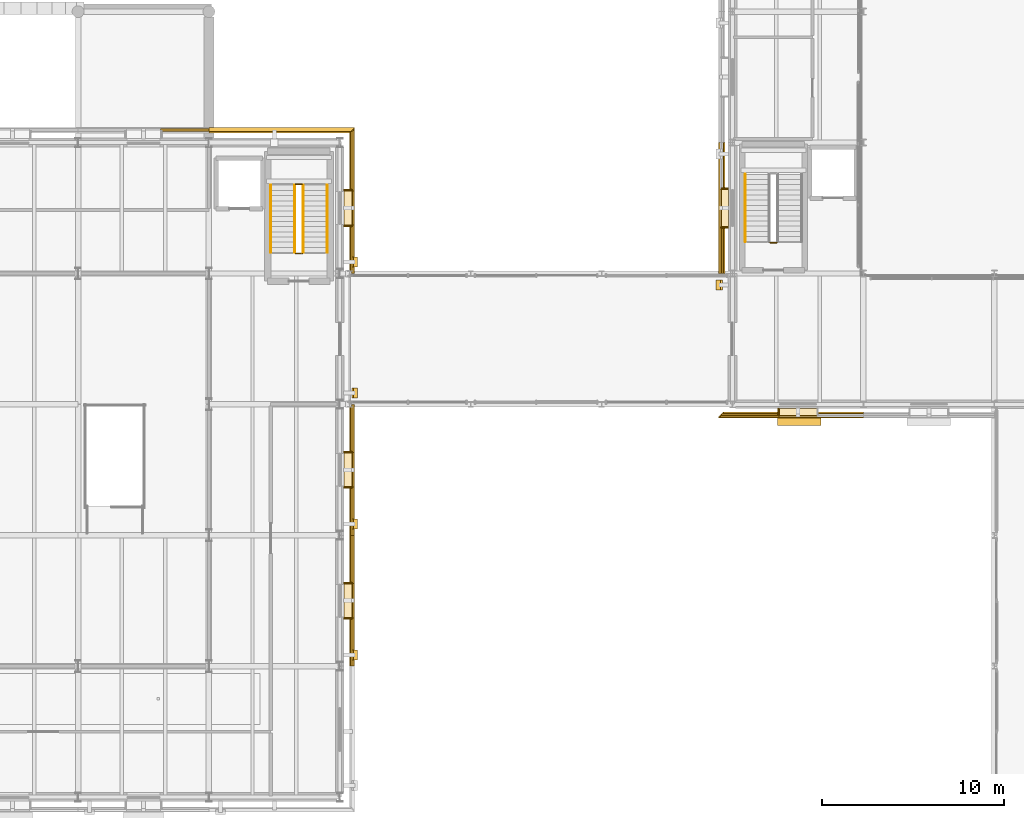
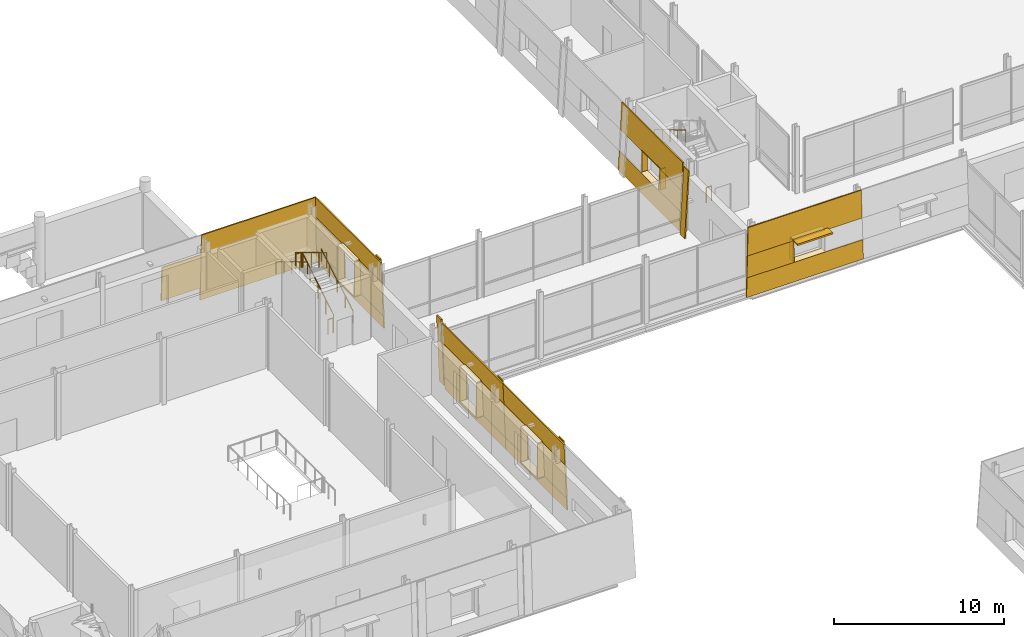
# One storey, part 114 of 121: 44 coverings, 8 railings, 1 shading device.
"""IFC4 building model written with IfcOpenShell, lengths in metres."""

from ifc_helpers import new_model, si_unit, direction, frame, origin, origin_2d, place, context, subcontext, project, spatial, polyline, rectangle, circle, outline, extrude, material, layer, layer_set, type_object, element, save


model = new_model("IFC4")

# Units and contexts
model_context = context("Model", 3, precision=1e-05, world=origin(), true_north=direction((0.0, 1.0)))
body_context = subcontext(model_context, "Body", "Model", "MODEL_VIEW")
ifc_project = project(units=[si_unit("LENGTHUNIT", "METRE"), si_unit("AREAUNIT", "SQUARE_METRE"), si_unit("VOLUMEUNIT", "CUBIC_METRE"), si_unit("PLANEANGLEUNIT", "RADIAN"), si_unit("MASSUNIT", "GRAM", prefix="KILO")], contexts=[model_context])

# Site, building, storey
site_placement = place(None, origin())
site = spatial("IfcSite", under=ifc_project, at=site_placement, CompositionType="ELEMENT")
building_placement = place(site_placement, origin())
building = spatial("IfcBuilding", under=site, at=building_placement, Name="Narikvali Park Central Library", CompositionType="ELEMENT")
storey_placement = place(building_placement, frame((0.0, 0.0, 5.39990234375)))
storey = spatial("IfcBuildingStorey", under=building, at=storey_placement, Name="L01", CompositionType="ELEMENT", Elevation=5.39990234375)

# Coverings
ifc_material_1 = material(Name="White Honed Limestone Cladding", Category="masonry")
ifc_layer_1 = layer(ifc_material_1, 0.0849609375, Name="White Honed Limestone Cladding")
ifc_layer_set_1 = layer_set([ifc_layer_1], Name="White Honed Limestone Cladding")
covering_type_1 = type_object("IfcCoveringType", Name="Battered White Limestone Facade Cladding Panel", PredefinedType="CLADDING", material=ifc_layer_set_1)
covering_1_placement = place(storey_placement, frame((101.759033203125, 65.14990234375, 0.0), z_axis=(0.999162846811, 0.0, 0.040909724413), x_axis=(0.0, 1.0, 0.0)))
element("IfcCovering", 1, at=covering_1_placement, inside=storey, type_object=covering_type_1, Name="V1 L01 E Classical Limestone Pilaster B02", PredefinedType="CLADDING", context=body_context, shape_type="SweptSolid", body=[
    extrude(outline(polyline([(0.0, 0.0), (0.550048828125, 0.0), (0.550048828125, 4.8040705711214065), (0.0, 4.8040705711214065), (0.0, 0.0)])), origin(), (0.0, 0.0, -1.0), 0.0849609375),
])
covering_2_placement = place(storey_placement, frame((101.618896484375, 64.800048828125, 0.0), z_axis=(0.999173453026, 0.0, 0.040649855697), x_axis=(0.0, 1.0, 0.0)))
element("IfcCovering", 2, at=covering_2_placement, inside=storey, type_object=covering_type_1, Name="V1 L01 E Battered Limestone Spandrel B02", PredefinedType="CLADDING", context=body_context, shape_type="SweptSolid", body=[
    extrude(outline(polyline([(0.0, 0.0), (7.199951171875, 0.0), (7.199951171875, 0.9008911131985476), (0.0, 0.9008911131985476), (0.0, 0.0)])), origin(), (0.0, 0.0, -1.0), 0.0849609375),
])
covering_3_placement = place(storey_placement, frame((101.48193359375, 64.800048828125, 3.35009765625), z_axis=(0.999163990863, 0.0, 0.040881772989), x_axis=(0.0, 1.0, 0.0)))
element("IfcCovering", 3, at=covering_3_placement, inside=storey, type_object=covering_type_1, Name="V1 L01 E Battered Limestone Lintel B02", PredefinedType="CLADDING", context=body_context, shape_type="SweptSolid", body=[
    extrude(outline(polyline([(0.0, 0.0), (7.199951171875, 0.0), (7.199951171875, 1.451164358538008), (0.0, 1.451164358538008), (0.0, 0.0)])), origin(), (0.0, 0.0, -1.0), 0.0849609375),
])
for number, where, z_axis, x_axis, name in (
    (4, (101.582275390625, 64.800048828125, 0.900146484375), (0.999162330053, 0.0, 0.040922343563), (0.0, 1.0, 0.0), "V1 L01 E Battered Limestone Jamb Pier L B02"),
    (5, (101.582275390625, 69.340087890625, 0.900146484375), (0.999162330053, 0.0, 0.040922343563), (0.0, 1.0, 0.0), "V1 L01 E Battered Limestone Jamb Pier R B02"),
):
    element("IfcCovering", number, at=place(storey_placement, frame(where, z_axis=z_axis, x_axis=x_axis)), inside=storey, type_object=covering_type_1, Name=name, PredefinedType="CLADDING", context=body_context, shape_type="SweptSolid", body=[
        extrude(outline(polyline([(0.0, 0.0), (2.659912109375, 0.0), (2.659912109375, 2.4520051428926064), (0.0, 2.4520051428926064), (0.0, 0.0)])), origin(), (0.0, 0.0, -1.0), 0.0849609375),
    ])
covering_4_placement = place(storey_placement, frame((101.759033203125, 72.35009765625, 0.0), z_axis=(0.999162846811, 0.0, 0.040909724413), x_axis=(0.0, 1.0, 0.0)))
element("IfcCovering", 6, at=covering_4_placement, inside=storey, type_object=covering_type_1, Name="V1 L01 E Classical Limestone Pilaster B03", PredefinedType="CLADDING", context=body_context, shape_type="SweptSolid", body=[
    extrude(outline(polyline([(0.0, 0.0), (0.5498046875, 0.0), (0.5498046875, 4.8040705711214065), (0.0, 4.8040705711214065), (0.0, 0.0)])), origin(), (0.0, 0.0, -1.0), 0.0849609375),
])
covering_5_placement = place(storey_placement, frame((101.618896484375, 72.0, 0.0), z_axis=(0.999173453026, 0.0, 0.040649855697), x_axis=(0.0, 1.0, 0.0)))
element("IfcCovering", 7, at=covering_5_placement, inside=storey, type_object=covering_type_1, Name="V1 L01 E Battered Limestone Spandrel B03", PredefinedType="CLADDING", context=body_context, shape_type="SweptSolid", body=[
    extrude(outline(polyline([(0.0, 0.0), (7.199951171875, 0.0), (7.199951171875, 0.9008911131985476), (0.0, 0.9008911131985476), (0.0, 0.0)])), origin(), (0.0, 0.0, -1.0), 0.0849609375),
])
covering_6_placement = place(storey_placement, frame((101.48193359375, 72.0, 3.35009765625), z_axis=(0.999163990863, 0.0, 0.040881772989), x_axis=(0.0, 1.0, 0.0)))
element("IfcCovering", 8, at=covering_6_placement, inside=storey, type_object=covering_type_1, Name="V1 L01 E Battered Limestone Lintel B03", PredefinedType="CLADDING", context=body_context, shape_type="SweptSolid", body=[
    extrude(outline(polyline([(0.0, 0.0), (7.199951171875, 0.0), (7.199951171875, 1.451164358538008), (0.0, 1.451164358538008), (0.0, 0.0)])), origin(), (0.0, 0.0, -1.0), 0.0849609375),
])
for number, where, z_axis, x_axis, name in (
    (9, (101.582275390625, 72.0, 0.900146484375), (0.999162330053, 0.0, 0.040922343563), (0.0, 1.0, 0.0), "V1 L01 E Battered Limestone Jamb Pier L B03"),
    (10, (101.582275390625, 76.5400390625, 0.900146484375), (0.999162330053, 0.0, 0.040922343563), (0.0, 1.0, 0.0), "V1 L01 E Battered Limestone Jamb Pier R B03"),
):
    element("IfcCovering", number, at=place(storey_placement, frame(where, z_axis=z_axis, x_axis=x_axis)), inside=storey, type_object=covering_type_1, Name=name, PredefinedType="CLADDING", context=body_context, shape_type="SweptSolid", body=[
        extrude(outline(polyline([(0.0, 0.0), (2.659912109375, 0.0), (2.659912109375, 2.4520051428926064), (0.0, 2.4520051428926064), (0.0, 0.0)])), origin(), (0.0, 0.0, -1.0), 0.0849609375),
    ])
for number, where, z_axis, x_axis, name in (
    (11, (101.759033203125, 79.550048828125, 0.0), (0.999162846811, 0.0, 0.040909724413), (0.0, 1.0, 0.0), "V1 L01 E Classical Limestone Pilaster B04"),
    (12, (101.759033203125, 86.75, 0.0), (0.999162846811, 0.0, 0.040909724413), (0.0, 1.0, 0.0), "V1 L01 E Classical Limestone Pilaster B05"),
):
    element("IfcCovering", number, at=place(storey_placement, frame(where, z_axis=z_axis, x_axis=x_axis)), inside=storey, type_object=covering_type_1, Name=name, PredefinedType="CLADDING", context=body_context, shape_type="SweptSolid", body=[
        extrude(outline(polyline([(0.0, 0.0), (0.550048828125, 0.0), (0.550048828125, 4.8040705711214065), (0.0, 4.8040705711214065), (0.0, 0.0)])), origin(), (0.0, 0.0, -1.0), 0.0849609375),
    ])
covering_7_placement = place(storey_placement, frame((101.618896484375, 86.39990234375, 0.0), z_axis=(0.999173453026, 0.0, 0.040649855697), x_axis=(0.0, 1.0, 0.0)))
element("IfcCovering", 13, at=covering_7_placement, inside=storey, type_object=covering_type_1, Name="V1 L01 E Battered Limestone Spandrel B05", PredefinedType="CLADDING", context=body_context, shape_type="SweptSolid", body=[
    extrude(outline(polyline([(0.0, 0.0), (7.93408203125, 0.0), (7.897216796875, 0.9008911131985476), (0.0, 0.9008911131985476), (0.0, 0.0)])), origin(), (0.0, 0.0, -1.0), 0.0849609375),
])
covering_8_placement = place(storey_placement, frame((101.48193359375, 86.39990234375, 3.35009765625), z_axis=(0.999163990863, 0.0, 0.040881772989), x_axis=(0.0, 1.0, 0.0)))
element("IfcCovering", 14, at=covering_8_placement, inside=storey, type_object=covering_type_1, Name="V1 L01 E Battered Limestone Lintel B05", PredefinedType="CLADDING", context=body_context, shape_type="SweptSolid", body=[
    extrude(outline(polyline([(0.0, 0.0), (7.797119140625, 0.0), (7.73779296875, 1.4511643585380076), (0.0, 1.4511643585380076), (0.0, 0.0)])), origin(), (0.0, 0.0, -1.0), 0.0849609375),
])
covering_9_placement = place(storey_placement, frame((101.582275390625, 86.39990234375, 0.900146484375), z_axis=(0.999162330053, 0.0, 0.040922343563), x_axis=(0.0, 1.0, 0.0)))
element("IfcCovering", 15, at=covering_9_placement, inside=storey, type_object=covering_type_1, Name="V1 L01 E Battered Limestone Jamb Pier L B05", PredefinedType="CLADDING", context=body_context, shape_type="SweptSolid", body=[
    extrude(outline(polyline([(0.0, 0.0), (2.66015625, 0.0), (2.66015625, 2.452005142892606), (0.0, 2.452005142892606), (0.0, 0.0)])), origin(), (0.0, 0.0, -1.0), 0.0849609375),
])
covering_10_placement = place(storey_placement, frame((101.582275390625, 90.93994140625, 0.900146484375), z_axis=(0.999162330053, 0.0, 0.040922343563), x_axis=(0.0, 1.0, 0.0)))
element("IfcCovering", 16, at=covering_10_placement, inside=storey, type_object=covering_type_1, Name="V1 L01 E Battered Limestone Jamb Pier R B05", PredefinedType="CLADDING", context=body_context, shape_type="SweptSolid", body=[
    extrude(outline(polyline([(0.0, 0.0), (3.357177734375, 0.0), (3.257080078125, 2.4520051428926064), (0.0, 2.4520051428926064), (0.0, 0.0)])), origin(), (0.0, 0.0, -1.0), 0.0849609375),
])
covering_11_placement = place(storey_placement, frame((101.618896484375, 94.4189453125, 0.0), z_axis=(0.0, 0.9991649228, 0.040858989773), x_axis=(-1.0, 0.0, 0.0)))
element("IfcCovering", 17, at=covering_11_placement, inside=storey, type_object=covering_type_1, Name="V1 L01 N Battered Limestone Panel B01", PredefinedType="CLADDING", context=body_context, shape_type="SweptSolid", body=[
    extrude(outline(polyline([(0.0, 0.0), (8.018798828125, 0.0), (8.018798828125, 4.804060589588906), (0.1962890625, 4.804060589588906), (0.0, 0.0)])), origin(), (0.0, 0.0, -1.0), 0.0849609375),
])
covering_12_placement = place(storey_placement, frame((93.60009765625, 94.382080078125, 0.900146484375), z_axis=(0.0, 0.999166396258, 0.04082294195), x_axis=(-1.0, 0.0, 0.0)))
element("IfcCovering", 18, at=covering_12_placement, inside=storey, type_object=covering_type_1, Name="V1 L01 N Battered Limestone Jamb Pier L B02", PredefinedType="CLADDING", context=body_context, shape_type="SweptSolid", body=[
    extrude(outline(polyline([(0.0, 0.0), (2.66015625, 0.0), (2.66015625, 2.4519951642200337), (0.0, 2.4519951642200337), (0.0, 0.0)])), origin(), (0.0, 0.0, -1.0), 0.0849609375),
])
covering_13_placement = place(storey_placement, frame((121.641357421875, 78.44140625, 0.0), z_axis=(0.0, -0.998646611858, 0.052009082137), x_axis=(1.0, 0.0, 0.0)))
element("IfcCovering", 19, at=covering_13_placement, inside=storey, type_object=covering_type_1, Name="V3 L01 S Battered Limestone Spandrel B01", PredefinedType="CLADDING", context=body_context, shape_type="SweptSolid", body=[
    extrude(outline(polyline([(0.0, 0.0), (7.958740234375, 0.0), (7.958740234375, 1.3519273386791144), (0.070556640625, 1.3519273386791144), (0.0, 0.0)])), origin(), (0.0, 0.0, -1.0), 0.0849609375),
])
covering_14_placement = place(storey_placement, frame((121.7900390625, 78.590087890625, 2.85009765625), z_axis=(0.0, -0.998646348793, 0.052014133104), x_axis=(1.0, 0.0, 0.0)))
element("IfcCovering", 20, at=covering_14_placement, inside=storey, type_object=covering_type_1, Name="V3 L01 S Battered Limestone Lintel B01", PredefinedType="CLADDING", context=body_context, shape_type="SweptSolid", body=[
    extrude(outline(polyline([(0.0, 0.0), (7.81005859375, 0.0), (7.81005859375, 1.9525943035108284), (0.1015625, 1.9525943035108284), (0.0, 0.0)])), origin(), (0.0, 0.0, -1.0), 0.0849609375),
])
covering_15_placement = place(storey_placement, frame((121.7119140625, 78.51171875, 1.35009765625), z_axis=(0.0, -0.998637960633, 0.052174932514), x_axis=(1.0, 0.0, 0.0)))
element("IfcCovering", 21, at=covering_15_placement, inside=storey, type_object=covering_type_1, Name="V3 L01 S Battered Limestone Jamb Pier L B01", PredefinedType="CLADDING", context=body_context, shape_type="SweptSolid", body=[
    extrude(outline(polyline([(0.0, 0.0), (3.248046875, 0.0), (3.248046875, 1.502045845572731), (0.078125, 1.502045845572731), (0.0, 0.0)])), origin(), (0.0, 0.0, -1.0), 0.0849609375),
])
covering_16_placement = place(storey_placement, frame((121.641357421875, 93.60009765625, 0.0), z_axis=(-0.998637216249, 0.0, 0.052189178209), x_axis=(0.0, -1.0, 0.0)))
element("IfcCovering", 22, at=covering_16_placement, inside=storey, type_object=covering_type_1, Name="V3 L01 W Battered Limestone Spandrel B04", PredefinedType="CLADDING", context=body_context, shape_type="SweptSolid", body=[
    extrude(outline(polyline([(0.0, 0.0), (7.2001953125, 0.0), (7.2001953125, 1.3519400581934202), (0.0, 1.3519400581934202), (0.0, 0.0)])), origin(), (0.0, 0.0, -1.0), 0.0849609375),
])
covering_17_placement = place(storey_placement, frame((121.7900390625, 93.60009765625, 2.85009765625), z_axis=(-0.998646348793, 0.0, 0.052014133104), x_axis=(0.0, -1.0, 0.0)))
element("IfcCovering", 23, at=covering_17_placement, inside=storey, type_object=covering_type_1, Name="V3 L01 W Battered Limestone Lintel B04", PredefinedType="CLADDING", context=body_context, shape_type="SweptSolid", body=[
    extrude(outline(polyline([(0.0, 0.0), (7.2001953125, 0.0), (7.2001953125, 1.9525943035108282), (0.0, 1.9525943035108282), (0.0, 0.0)])), origin(), (0.0, 0.0, -1.0), 0.0849609375),
])
covering_18_placement = place(storey_placement, frame((121.7119140625, 88.9599609375, 1.35009765625), z_axis=(-0.998646416446, 0.0, 0.05201283419), x_axis=(0.0, -1.0, 0.0)))
element("IfcCovering", 24, at=covering_18_placement, inside=storey, type_object=covering_type_1, Name="V3 L01 W Battered Limestone Jamb Pier R B04", PredefinedType="CLADDING", context=body_context, shape_type="SweptSolid", body=[
    extrude(outline(polyline([(0.0, 0.0), (2.56005859375, 0.0), (2.56005859375, 1.5020331273394072), (0.0, 1.5020331273394072), (0.0, 0.0)])), origin(), (0.0, 0.0, -1.0), 0.0849609375),
])
covering_19_placement = place(storey_placement, frame((121.50146484375, 86.050048828125, 0.0), z_axis=(-0.998643804351, 0.0, 0.052062962182), x_axis=(0.0, -1.0, 0.0)))
element("IfcCovering", 25, at=covering_19_placement, inside=storey, type_object=covering_type_1, Name="V3 L01 W Classical Limestone Pilaster B05", PredefinedType="CLADDING", context=body_context, shape_type="SweptSolid", body=[
    extrude(outline(polyline([(0.0, 0.0), (0.550048828125, 0.0), (0.550048828125, 4.80656747401941), (0.0, 4.80656747401941), (0.0, 0.0)])), origin(), (0.0, 0.0, -1.0), 0.0849609375),
])

# Shading device
ifc_material_2 = material(Name="Anodised Bronze Aluminium", Category="aluminium")
ifc_layer_2 = layer(ifc_material_2, 0.1201171875, Name="Anodised Bronze Aluminium")
ifc_layer_set_2 = layer_set([ifc_layer_2], Name="Anodised Bronze Aluminium")
shading_device_type = type_object("IfcShadingDeviceType", Name="Bronze Classical Cornice Sun Brise-Soleil 650", PredefinedType="SHUTTER", material=ifc_layer_set_2)
shading_device_placement = place(storey_placement, frame((126.076904296875, 78.35009765625, 2.85009765625), z_axis=(0.0, 0.0, 1.0), x_axis=(1.0, 0.0, 0.0)))
element("IfcShadingDevice", 26, at=shading_device_placement, inside=storey, type_object=shading_device_type, Name="V3 L01 Classical Bronze Brise-Soleil 01", PredefinedType="SHUTTER", context=body_context, shape_type="SweptSolid", body=[
    extrude(rectangle(XDim=2.39990234375, YDim=0.64990234375, at=origin_2d()), origin(), (0.0, 0.0, 1.0), 0.1201171875),
])

# Coverings
ifc_layer_3 = layer(ifc_material_1, 0.080078125, Name="White Honed Limestone Cladding")
ifc_layer_set_3 = layer_set([ifc_layer_3], Name="White Honed Limestone Cladding")
covering_type_2 = type_object("IfcCoveringType", Name="Deep Carved White Limestone Window Reveal", PredefinedType="CLADDING", material=ifc_layer_set_3)
covering_20_placement = place(storey_placement, frame((0.0, 0.0, 3.35009765625)))
element("IfcCovering", 27, at=covering_20_placement, inside=storey, type_object=covering_type_2, Name="Deep Stone Reveal Head V1-RVL-L01-E-B02", PredefinedType="CLADDING", context=body_context, shape_type="SweptSolid", body=[
    extrude(outline(polyline([(101.02490234375, 67.419921875), (101.02490234375, 69.3798828125), (101.48193359375, 69.3798828125), (101.48193359375, 67.419921875), (101.02490234375, 67.419921875)])), origin(), (0.0, 0.0, 1.0), 0.080078125),
])
covering_21_placement = place(storey_placement, frame((0.0, 0.0, 0.820068359375)))
element("IfcCovering", 28, at=covering_21_placement, inside=storey, type_object=covering_type_2, Name="Deep Stone Reveal Sill V1-RVL-L01-E-B02", PredefinedType="CLADDING", context=body_context, shape_type="SweptSolid", body=[
    extrude(outline(polyline([(101.02490234375, 67.419921875), (101.02490234375, 69.3798828125), (101.582275390625, 69.3798828125), (101.582275390625, 67.419921875), (101.02490234375, 67.419921875)])), origin(), (0.0, 0.0, 1.0), 0.080078125),
])
covering_22_placement = place(storey_placement, frame((0.0, 0.0, 0.900146484375)))
element("IfcCovering", 29, at=covering_22_placement, inside=storey, type_object=covering_type_2, Name="Deep Stone Reveal Jamb L V1-RVL-L01-E-B02", PredefinedType="CLADDING", context=body_context, shape_type="SweptSolid", body=[
    extrude(outline(polyline([(101.02490234375, 67.3798828125), (101.02490234375, 67.4599609375), (101.48193359375, 67.4599609375), (101.48193359375, 67.3798828125), (101.02490234375, 67.3798828125)])), origin(), (0.0, 0.0, 1.0), 2.449951171875),
])
covering_23_placement = place(storey_placement, frame((0.0, 0.0, 0.900146484375)))
element("IfcCovering", 30, at=covering_23_placement, inside=storey, type_object=covering_type_2, Name="Deep Stone Reveal Jamb R V1-RVL-L01-E-B02", PredefinedType="CLADDING", context=body_context, shape_type="SweptSolid", body=[
    extrude(outline(polyline([(101.02490234375, 69.340087890625), (101.02490234375, 69.419921875), (101.48193359375, 69.419921875), (101.48193359375, 69.340087890625), (101.02490234375, 69.340087890625)])), origin(), (0.0, 0.0, 1.0), 2.449951171875),
])
covering_24_placement = place(storey_placement, frame((0.0, 0.0, 3.35009765625)))
element("IfcCovering", 31, at=covering_24_placement, inside=storey, type_object=covering_type_2, Name="Deep Stone Reveal Head V1-RVL-L01-E-B03", PredefinedType="CLADDING", context=body_context, shape_type="SweptSolid", body=[
    extrude(outline(polyline([(101.02490234375, 74.6201171875), (101.02490234375, 76.580078125), (101.48193359375, 76.580078125), (101.48193359375, 74.6201171875), (101.02490234375, 74.6201171875)])), origin(), (0.0, 0.0, 1.0), 0.080078125),
])
covering_25_placement = place(storey_placement, frame((0.0, 0.0, 0.820068359375)))
element("IfcCovering", 32, at=covering_25_placement, inside=storey, type_object=covering_type_2, Name="Deep Stone Reveal Sill V1-RVL-L01-E-B03", PredefinedType="CLADDING", context=body_context, shape_type="SweptSolid", body=[
    extrude(outline(polyline([(101.02490234375, 74.6201171875), (101.02490234375, 76.580078125), (101.582275390625, 76.580078125), (101.582275390625, 74.6201171875), (101.02490234375, 74.6201171875)])), origin(), (0.0, 0.0, 1.0), 0.080078125),
])
covering_26_placement = place(storey_placement, frame((0.0, 0.0, 0.900146484375)))
element("IfcCovering", 33, at=covering_26_placement, inside=storey, type_object=covering_type_2, Name="Deep Stone Reveal Jamb L V1-RVL-L01-E-B03", PredefinedType="CLADDING", context=body_context, shape_type="SweptSolid", body=[
    extrude(outline(polyline([(101.02490234375, 74.580078125), (101.02490234375, 74.659912109375), (101.48193359375, 74.659912109375), (101.48193359375, 74.580078125), (101.02490234375, 74.580078125)])), origin(), (0.0, 0.0, 1.0), 2.449951171875),
])
covering_27_placement = place(storey_placement, frame((0.0, 0.0, 0.900146484375)))
element("IfcCovering", 34, at=covering_27_placement, inside=storey, type_object=covering_type_2, Name="Deep Stone Reveal Jamb R V1-RVL-L01-E-B03", PredefinedType="CLADDING", context=body_context, shape_type="SweptSolid", body=[
    extrude(outline(polyline([(101.02490234375, 76.5400390625), (101.02490234375, 76.6201171875), (101.48193359375, 76.6201171875), (101.48193359375, 76.5400390625), (101.02490234375, 76.5400390625)])), origin(), (0.0, 0.0, 1.0), 2.449951171875),
])
covering_28_placement = place(storey_placement, frame((0.0, 0.0, 3.35009765625)))
element("IfcCovering", 35, at=covering_28_placement, inside=storey, type_object=covering_type_2, Name="Deep Stone Reveal Head V1-RVL-L01-E-B05", PredefinedType="CLADDING", context=body_context, shape_type="SweptSolid", body=[
    extrude(outline(polyline([(101.02490234375, 89.02001953125), (101.02490234375, 90.97998046875), (101.48193359375, 90.97998046875), (101.48193359375, 89.02001953125), (101.02490234375, 89.02001953125)])), origin(), (0.0, 0.0, 1.0), 0.080078125),
])
covering_29_placement = place(storey_placement, frame((0.0, 0.0, 0.820068359375)))
element("IfcCovering", 36, at=covering_29_placement, inside=storey, type_object=covering_type_2, Name="Deep Stone Reveal Sill V1-RVL-L01-E-B05", PredefinedType="CLADDING", context=body_context, shape_type="SweptSolid", body=[
    extrude(outline(polyline([(101.02490234375, 89.02001953125), (101.02490234375, 90.97998046875), (101.582275390625, 90.97998046875), (101.582275390625, 89.02001953125), (101.02490234375, 89.02001953125)])), origin(), (0.0, 0.0, 1.0), 0.080078125),
])
covering_30_placement = place(storey_placement, frame((0.0, 0.0, 0.900146484375)))
element("IfcCovering", 37, at=covering_30_placement, inside=storey, type_object=covering_type_2, Name="Deep Stone Reveal Jamb L V1-RVL-L01-E-B05", PredefinedType="CLADDING", context=body_context, shape_type="SweptSolid", body=[
    extrude(outline(polyline([(101.02490234375, 88.97998046875), (101.02490234375, 89.06005859375), (101.48193359375, 89.06005859375), (101.48193359375, 88.97998046875), (101.02490234375, 88.97998046875)])), origin(), (0.0, 0.0, 1.0), 2.449951171875),
])
covering_31_placement = place(storey_placement, frame((0.0, 0.0, 0.900146484375)))
element("IfcCovering", 38, at=covering_31_placement, inside=storey, type_object=covering_type_2, Name="Deep Stone Reveal Jamb R V1-RVL-L01-E-B05", PredefinedType="CLADDING", context=body_context, shape_type="SweptSolid", body=[
    extrude(outline(polyline([(101.02490234375, 90.93994140625), (101.02490234375, 91.02001953125), (101.48193359375, 91.02001953125), (101.48193359375, 90.93994140625), (101.02490234375, 90.93994140625)])), origin(), (0.0, 0.0, 1.0), 2.449951171875),
])
covering_32_placement = place(storey_placement, frame((0.0, 0.0, 2.85009765625)))
element("IfcCovering", 39, at=covering_32_placement, inside=storey, type_object=covering_type_2, Name="Deep Stone Reveal Head V3-RVL-L01-S-B01", PredefinedType="CLADDING", context=body_context, shape_type="SweptSolid", body=[
    extrude(outline(polyline([(124.919921875, 78.97509765625), (127.080078125, 78.97509765625), (127.080078125, 78.590087890625), (124.919921875, 78.590087890625), (124.919921875, 78.97509765625)])), origin(), (0.0, 0.0, 1.0), 0.080078125),
])
covering_33_placement = place(storey_placement, frame((0.0, 0.0, 1.27001953125)))
element("IfcCovering", 40, at=covering_33_placement, inside=storey, type_object=covering_type_2, Name="Deep Stone Reveal Sill V3-RVL-L01-S-B01", PredefinedType="CLADDING", context=body_context, shape_type="SweptSolid", body=[
    extrude(outline(polyline([(124.919921875, 78.97509765625), (127.080078125, 78.97509765625), (127.080078125, 78.51171875), (124.919921875, 78.51171875), (124.919921875, 78.97509765625)])), origin(), (0.0, 0.0, 1.0), 0.080078125),
])
covering_34_placement = place(storey_placement, frame((0.0, 0.0, 1.35009765625)))
element("IfcCovering", 41, at=covering_34_placement, inside=storey, type_object=covering_type_2, Name="Deep Stone Reveal Jamb L V3-RVL-L01-S-B01", PredefinedType="CLADDING", context=body_context, shape_type="SweptSolid", body=[
    extrude(outline(polyline([(124.8798828125, 78.97509765625), (124.9599609375, 78.97509765625), (124.9599609375, 78.590087890625), (124.8798828125, 78.590087890625), (124.8798828125, 78.97509765625)])), origin(), (0.0, 0.0, 1.0), 1.5),
])
covering_35_placement = place(storey_placement, frame((0.0, 0.0, 2.85009765625)))
element("IfcCovering", 42, at=covering_35_placement, inside=storey, type_object=covering_type_2, Name="Deep Stone Reveal Head V3-RVL-L01-W-B04", PredefinedType="CLADDING", context=body_context, shape_type="SweptSolid", body=[
    extrude(outline(polyline([(122.175048828125, 91.080078125), (122.175048828125, 88.919921875), (121.7900390625, 88.919921875), (121.7900390625, 91.080078125), (122.175048828125, 91.080078125)])), origin(), (0.0, 0.0, 1.0), 0.080078125),
])
covering_36_placement = place(storey_placement, frame((0.0, 0.0, 1.27001953125)))
element("IfcCovering", 43, at=covering_36_placement, inside=storey, type_object=covering_type_2, Name="Deep Stone Reveal Sill V3-RVL-L01-W-B04", PredefinedType="CLADDING", context=body_context, shape_type="SweptSolid", body=[
    extrude(outline(polyline([(122.175048828125, 91.080078125), (122.175048828125, 88.919921875), (121.7119140625, 88.919921875), (121.7119140625, 91.080078125), (122.175048828125, 91.080078125)])), origin(), (0.0, 0.0, 1.0), 0.080078125),
])
covering_37_placement = place(storey_placement, frame((0.0, 0.0, 1.35009765625)))
element("IfcCovering", 44, at=covering_37_placement, inside=storey, type_object=covering_type_2, Name="Deep Stone Reveal Jamb L V3-RVL-L01-W-B04", PredefinedType="CLADDING", context=body_context, shape_type="SweptSolid", body=[
    extrude(outline(polyline([(122.175048828125, 91.1201171875), (122.175048828125, 91.0400390625), (121.7900390625, 91.0400390625), (121.7900390625, 91.1201171875), (122.175048828125, 91.1201171875)])), origin(), (0.0, 0.0, 1.0), 1.5),
])
covering_38_placement = place(storey_placement, frame((0.0, 0.0, 1.35009765625)))
element("IfcCovering", 45, at=covering_38_placement, inside=storey, type_object=covering_type_2, Name="Deep Stone Reveal Jamb R V3-RVL-L01-W-B04", PredefinedType="CLADDING", context=body_context, shape_type="SweptSolid", body=[
    extrude(outline(polyline([(122.175048828125, 88.9599609375), (122.175048828125, 88.8798828125), (121.7900390625, 88.8798828125), (121.7900390625, 88.9599609375), (122.175048828125, 88.9599609375)])), origin(), (0.0, 0.0, 1.0), 1.5),
])

# Railings
ifc_material_3 = material(Name="Brushed Stainless Steel S355", Category="steel")
ifc_layer_4 = layer(ifc_material_3, 0.044921875, Name="Brushed Stainless Steel S355")
ifc_layer_set_4 = layer_set([ifc_layer_4], Name="Brushed Stainless Steel S355")
railing_type_1 = type_object("IfcRailingType", Name="Stair Tubular Steel Handrail 900", PredefinedType="HANDRAIL", material=ifc_layer_set_4)
railing_1_placement = place(storey_placement, frame((100.10009765625, 87.550048828125, 0.171630859375)))
element("IfcRailing", 46, at=railing_1_placement, inside=storey, type_object=railing_type_1, Name="L01 ST-02 stair handrail 1", PredefinedType="HANDRAIL", context=body_context, shape_type="SweptSolid", body=[
    extrude(circle(Radius=0.02392578125, at=origin_2d()), frame((0.0, 0.0, 0.8759765625), z_axis=(0.0, 0.856919398105, 0.515450429384), x_axis=(-1.0, 0.0, 0.0)), (0.0, 0.0, 1.0), 4.323486328125),
    extrude(circle(Radius=0.02099609375, at=origin_2d()), origin(), (0.0, 0.0, 1.0), 0.851806640625),
    extrude(circle(Radius=0.02099609375, at=origin_2d()), frame((0.0, 0.92626953125, 0.55712890625)), (0.0, 0.0, 1.0), 0.851806640625),
    extrude(circle(Radius=0.02099609375, at=origin_2d()), frame((0.0, 1.8525390625, 1.1142578125)), (0.0, 0.0, 1.0), 0.851806640625),
    extrude(circle(Radius=0.02099609375, at=origin_2d()), frame((0.0, 2.778564453125, 1.67138671875)), (0.0, 0.0, 1.0), 0.851806640625),
    extrude(circle(Radius=0.02099609375, at=origin_2d()), frame((0.0, 3.704833984375, 2.228515625)), (0.0, 0.0, 1.0), 0.851806640625),
])
railing_2_placement = place(storey_placement, frame((97.0, 91.2548828125, 2.571533203125)))
element("IfcRailing", 47, at=railing_2_placement, inside=storey, type_object=railing_type_1, Name="L01 ST-02 stair handrail 2", PredefinedType="HANDRAIL", context=body_context, shape_type="SweptSolid", body=[
    extrude(circle(Radius=0.02392578125, at=origin_2d()), frame((0.0, 0.0, 0.8759765625), z_axis=(0.0, -0.856919398105, 0.515450429384), x_axis=(1.0, 0.0, 0.0)), (0.0, 0.0, 1.0), 4.323486328125),
    extrude(circle(Radius=0.02099609375, at=origin_2d()), origin(), (0.0, 0.0, 1.0), 0.851806640625),
    extrude(circle(Radius=0.02099609375, at=origin_2d()), frame((0.0, -0.92626953125, 0.55712890625)), (0.0, 0.0, 1.0), 0.851806640625),
    extrude(circle(Radius=0.02099609375, at=origin_2d()), frame((0.0, -1.8525390625, 1.1142578125)), (0.0, 0.0, 1.0), 0.851806640625),
    extrude(circle(Radius=0.02099609375, at=origin_2d()), frame((0.0, -2.778564453125, 1.67138671875)), (0.0, 0.0, 1.0), 0.851806640625),
    extrude(circle(Radius=0.02099609375, at=origin_2d()), frame((0.0, -3.704833984375, 2.228515625)), (0.0, 0.0, 1.0), 0.851806640625),
])
railing_3_placement = place(storey_placement, frame((123.10009765625, 91.85498046875, 2.571533203125)))
element("IfcRailing", 48, at=railing_3_placement, inside=storey, type_object=railing_type_1, Name="L01 ST-05 stair handrail 2", PredefinedType="HANDRAIL", context=body_context, shape_type="SweptSolid", body=[
    extrude(circle(Radius=0.02392578125, at=origin_2d()), frame((0.0, 0.0, 0.8759765625), z_axis=(0.0, -0.856934400257, 0.515425487977), x_axis=(1.0, 0.0, 0.0)), (0.0, 0.0, 1.0), 4.32373046875),
    extrude(circle(Radius=0.02099609375, at=origin_2d()), origin(), (0.0, 0.0, 1.0), 0.851806640625),
    extrude(circle(Radius=0.02099609375, at=origin_2d()), frame((0.0, -0.92626953125, 0.55712890625)), (0.0, 0.0, 1.0), 0.851806640625),
    extrude(circle(Radius=0.02099609375, at=origin_2d()), frame((0.0, -1.8525390625, 1.1142578125)), (0.0, 0.0, 1.0), 0.851806640625),
    extrude(circle(Radius=0.02099609375, at=origin_2d()), frame((0.0, -2.77880859375, 1.67138671875)), (0.0, 0.0, 1.0), 0.851806640625),
    extrude(circle(Radius=0.02099609375, at=origin_2d()), frame((0.0, -3.705078125, 2.228515625)), (0.0, 0.0, 1.0), 0.851806640625),
])
ifc_material_4 = material(Name="Powder-Coated Steel S275", Category="steel")
ifc_layer_5 = layer(ifc_material_4, 0.050048828125, Name="Powder-Coated Steel S275")
ifc_layer_set_5 = layer_set([ifc_layer_5], Name="Powder-Coated Steel S275")
railing_type_2 = type_object("IfcRailingType", Name="Stair Well Steel Guardrail 1100", PredefinedType="GUARDRAIL", material=ifc_layer_set_5)
railing_4_placement = place(storey_placement, frame((98.780029296875, 87.550048828125, 0.171630859375)))
element("IfcRailing", 49, at=railing_4_placement, inside=storey, type_object=railing_type_2, Name="L01 ST-02 stair guard 1", PredefinedType="GUARDRAIL", context=body_context, shape_type="SweptSolid", body=[
    extrude(circle(Radius=0.02392578125, at=origin_2d()), frame((0.0, 0.0, 1.076171875), z_axis=(0.0, 0.856919398105, 0.515450429384), x_axis=(-1.0, 0.0, 0.0)), (0.0, 0.0, 1.0), 4.323486328125),
    extrude(circle(Radius=0.02099609375, at=origin_2d()), origin(), (0.0, 0.0, 1.0), 1.052001953125),
    extrude(circle(Radius=0.02099609375, at=origin_2d()), frame((0.0, 0.92626953125, 0.55712890625)), (0.0, 0.0, 1.0), 1.052001953125),
    extrude(circle(Radius=0.02099609375, at=origin_2d()), frame((0.0, 1.8525390625, 1.1142578125)), (0.0, 0.0, 1.0), 1.052001953125),
    extrude(circle(Radius=0.02099609375, at=origin_2d()), frame((0.0, 2.778564453125, 1.67138671875)), (0.0, 0.0, 1.0), 1.052001953125),
    extrude(circle(Radius=0.02099609375, at=origin_2d()), frame((0.0, 3.704833984375, 2.228515625)), (0.0, 0.0, 1.0), 1.052001953125),
])
railing_5_placement = place(storey_placement, frame((98.72998046875, 91.304931640625, 2.400146484375)))
element("IfcRailing", 50, at=railing_5_placement, inside=storey, type_object=railing_type_2, Name="L01 ST-02 stair guard 2", PredefinedType="GUARDRAIL", context=body_context, shape_type="SweptSolid", body=[
    extrude(circle(Radius=0.02392578125, at=origin_2d()), frame((0.0, 0.0, 1.076171875), z_axis=(-1.0, 0.0, 0.0), x_axis=(0.0, -1.0, 0.0)), (0.0, 0.0, 1.0), 0.35986328125),
    extrude(circle(Radius=0.02099609375, at=origin_2d()), origin(), (0.0, 0.0, 1.0), 1.052001953125),
    extrude(circle(Radius=0.02099609375, at=origin_2d()), frame((-0.35986328125, 0.0, 0.0)), (0.0, 0.0, 1.0), 1.052001953125),
])
railing_6_placement = place(storey_placement, frame((98.320068359375, 91.2548828125, 2.571533203125)))
element("IfcRailing", 51, at=railing_6_placement, inside=storey, type_object=railing_type_2, Name="L01 ST-02 stair guard 3", PredefinedType="GUARDRAIL", context=body_context, shape_type="SweptSolid", body=[
    extrude(circle(Radius=0.02392578125, at=origin_2d()), frame((0.0, 0.0, 1.076171875), z_axis=(0.0, -0.856919398105, 0.515450429384), x_axis=(1.0, 0.0, 0.0)), (0.0, 0.0, 1.0), 4.323486328125),
    extrude(circle(Radius=0.02099609375, at=origin_2d()), origin(), (0.0, 0.0, 1.0), 1.052001953125),
    extrude(circle(Radius=0.02099609375, at=origin_2d()), frame((0.0, -0.92626953125, 0.55712890625)), (0.0, 0.0, 1.0), 1.052001953125),
    extrude(circle(Radius=0.02099609375, at=origin_2d()), frame((0.0, -1.8525390625, 1.1142578125)), (0.0, 0.0, 1.0), 1.052001953125),
    extrude(circle(Radius=0.02099609375, at=origin_2d()), frame((0.0, -2.778564453125, 1.67138671875)), (0.0, 0.0, 1.0), 1.052001953125),
    extrude(circle(Radius=0.02099609375, at=origin_2d()), frame((0.0, -3.704833984375, 2.228515625)), (0.0, 0.0, 1.0), 1.052001953125),
])
railing_7_placement = place(storey_placement, frame((98.72998046875, 87.5, 0.0)))
element("IfcRailing", 52, at=railing_7_placement, inside=storey, type_object=railing_type_2, Name="L01 ST-02 stair guard 4", PredefinedType="GUARDRAIL", context=body_context, shape_type="SweptSolid", body=[
    extrude(circle(Radius=0.02392578125, at=origin_2d()), frame((0.0, 0.0, 1.076171875), z_axis=(-1.0, 0.0, 0.0), x_axis=(0.0, -1.0, 0.0)), (0.0, 0.0, 1.0), 0.35986328125),
    extrude(circle(Radius=0.02099609375, at=origin_2d()), origin(), (0.0, 0.0, 1.0), 1.052001953125),
    extrude(circle(Radius=0.02099609375, at=origin_2d()), frame((-0.35986328125, 0.0, 0.0)), (0.0, 0.0, 1.0), 1.052001953125),
])
railing_8_placement = place(storey_placement, frame((124.830078125, 88.10009765625, 0.0)))
element("IfcRailing", 53, at=railing_8_placement, inside=storey, type_object=railing_type_2, Name="L01 ST-05 stair guard 4", PredefinedType="GUARDRAIL", context=body_context, shape_type="SweptSolid", body=[
    extrude(circle(Radius=0.02392578125, at=origin_2d()), frame((0.0, 0.0, 1.076171875), z_axis=(-1.0, 0.0, 0.0), x_axis=(0.0, -1.0, 0.0)), (0.0, 0.0, 1.0), 0.360107421875),
    extrude(circle(Radius=0.02099609375, at=origin_2d()), origin(), (0.0, 0.0, 1.0), 1.052001953125),
    extrude(circle(Radius=0.02099609375, at=origin_2d()), frame((-0.360107421875, 0.0, 0.0)), (0.0, 0.0, 1.0), 1.052001953125),
])

save(model, "model.ifc")
